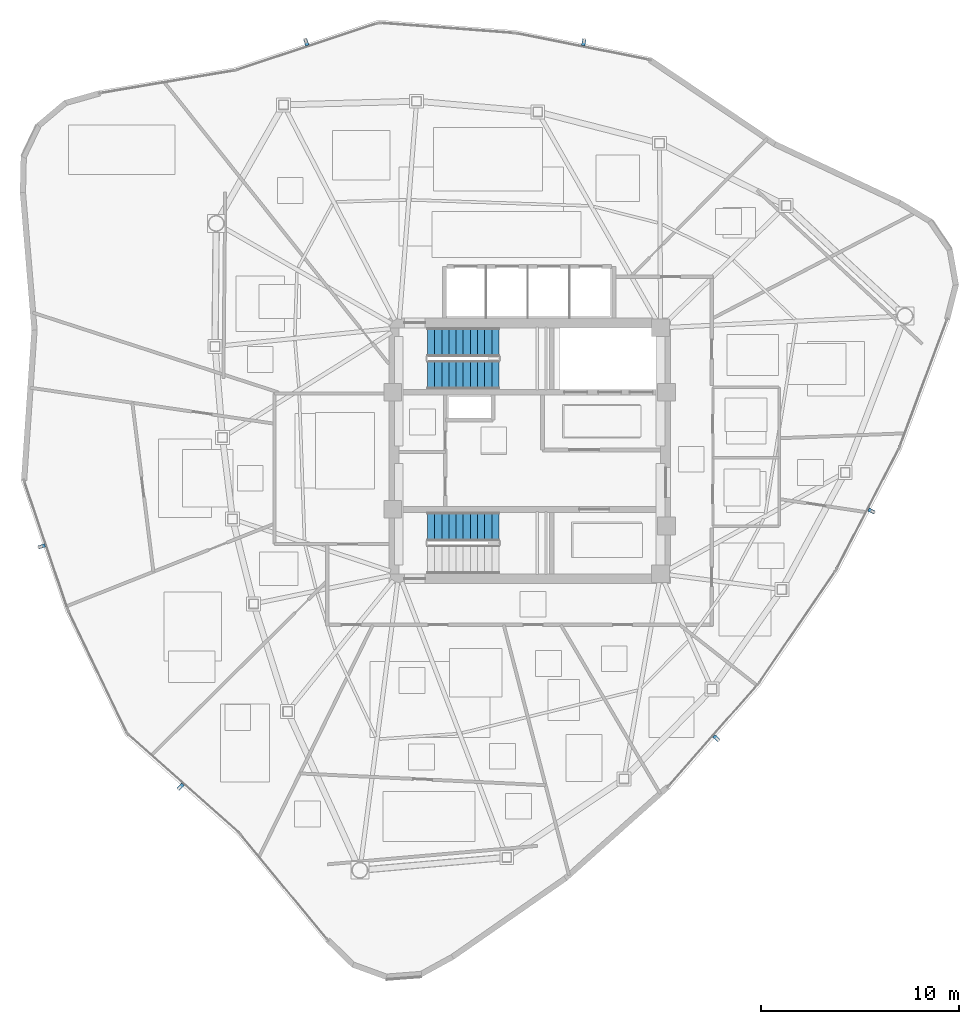
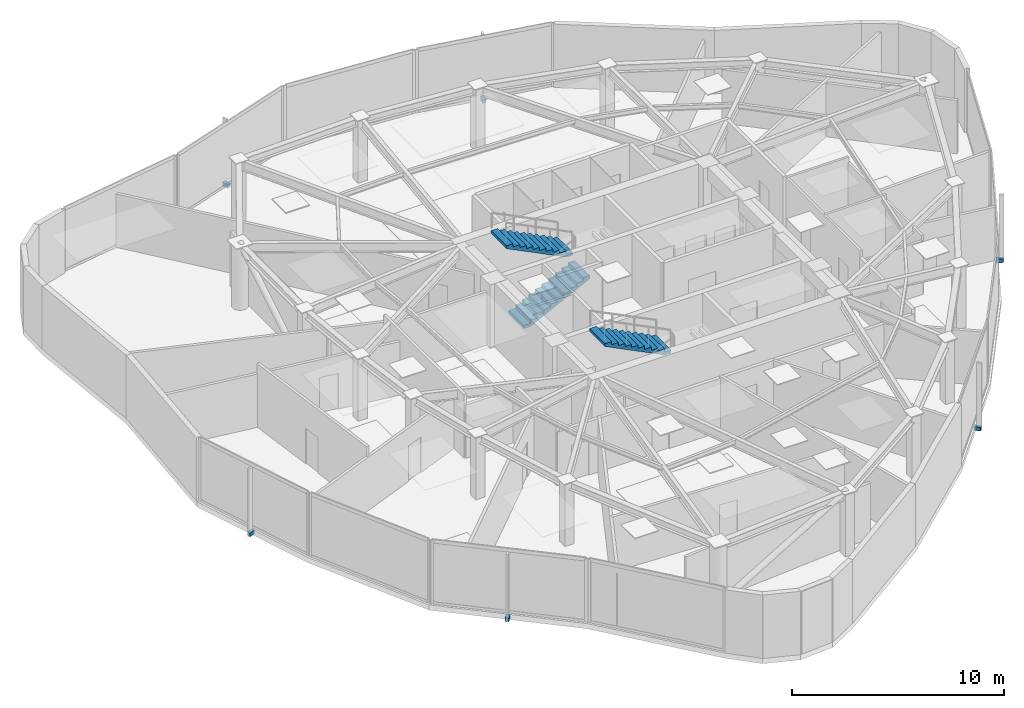
# One storey, part 10 of 13: 6 discrete accessories, 3 stair flights, 2 elements without a shape of their own.
"""IFC4 building model written with IfcOpenShell, lengths in metres."""

from ifc_helpers import new_model, si_unit, direction, frame, origin, origin_2d, place, context, subcontext, project, spatial, polyline, rectangle, outline, extrude, source, transform, mapped, material, type_object, type_shapes, element, aggregate, save


model = new_model("IFC4")

# Units and contexts
model_context = context("Model", 3, precision=1e-05, world=origin(), true_north=direction((0.0, 1.0)))
body_context = subcontext(model_context, "Body", "Model", "MODEL_VIEW")
ifc_project = project(units=[si_unit("LENGTHUNIT", "METRE"), si_unit("AREAUNIT", "SQUARE_METRE"), si_unit("VOLUMEUNIT", "CUBIC_METRE"), si_unit("PLANEANGLEUNIT", "RADIAN"), si_unit("MASSUNIT", "GRAM", prefix="KILO")], contexts=[model_context])

# Site, building, storey
site_placement = place(None, origin())
site = spatial("IfcSite", under=ifc_project, at=site_placement, CompositionType="ELEMENT")
building_placement = place(site_placement, origin())
building = spatial("IfcBuilding", under=site, at=building_placement, Name="Tavelor Broadcast Tower", CompositionType="ELEMENT")
storey_placement = place(building_placement, frame((0.0, 0.0, 261.64990234375)))
storey = spatial("IfcBuildingStorey", under=building, at=storey_placement, Name="L62", CompositionType="ELEMENT", Elevation=261.64990234375)

# Stair, stair flights
ifc_material_1 = material(Name="Concrete C40/50", Category="concrete")
stair_type = type_object("IfcStairType", Name="Reinforced Concrete Protected Dogleg Stair 1450 mm", PredefinedType="HALF_TURN_STAIR", material=ifc_material_1)
stair_1_placement = place(storey_placement, origin())
stair_1 = element("IfcStair", 1, at=stair_1_placement, inside=storey, type_object=stair_type, Name="L62 Protected Core Exit Stair ST1", PredefinedType="HALF_TURN_STAIR")
stair_flight_type = type_object("IfcStairFlightType", Name="Reinforced Concrete Stair Flight 1450 mm", PredefinedType="STRAIGHT", material=ifc_material_1)
stair_flight_1_placement = place(storey_placement, frame((44.85009765625, 48.824951171875, 0.0), z_axis=(0.0, 0.0, 1.0), x_axis=(1.0, 0.0, 0.0)))
stair_flight_1 = element("IfcStairFlight", 2, at=stair_flight_1_placement, type_object=stair_flight_type, Name="ST1 flight 1", NumberOfRisers=11, NumberOfTreads=10, PredefinedType="STRAIGHT", RiserHeight=0.179545455, TreadLength=0.36, context=body_context, shape_type="SweptSolid", body=[
    extrude(outline(polyline([(0.0, 0.0), (0.0, 0.179443359375), (0.360107421875, 0.179443359375), (0.360107421875, 0.359130859375), (0.719970703125, 0.359130859375), (0.719970703125, 0.53857421875), (1.080078125, 0.53857421875), (1.080078125, 0.71826171875), (1.43994140625, 0.71826171875), (1.43994140625, 0.897705078125), (1.800048828125, 0.897705078125), (1.800048828125, 1.077392578125), (2.159912109375, 1.077392578125), (2.159912109375, 1.2568359375), (2.52001953125, 1.2568359375), (2.52001953125, 1.436279296875), (2.8798828125, 1.436279296875), (2.8798828125, 1.615966796875), (3.239990234375, 1.615966796875), (3.239990234375, 1.79541015625), (3.60009765625, 1.79541015625), (3.60009765625, 1.97509765625), (3.60009765625, 1.6279296875), (0.3359375, 0.0), (0.0, 0.0)])), frame((0.0, 0.72509765625, 0.0), z_axis=(0.0, -1.0, 0.0), x_axis=(1.0, 0.0, 0.0)), (0.0, 0.0, 1.0), 1.449951171875),
])
stair_flight_2_placement = place(storey_placement, frame((48.449951171875, 50.47509765625, 1.97509765625), z_axis=(0.0, 0.0, 1.0), x_axis=(-1.0, 0.0, 0.0)))
stair_flight_2 = element("IfcStairFlight", 3, at=stair_flight_2_placement, type_object=stair_flight_type, Name="ST1 flight 2", NumberOfRisers=11, NumberOfTreads=10, PredefinedType="STRAIGHT", RiserHeight=0.179545455, TreadLength=0.36, context=body_context, shape_type="SweptSolid", body=[
    extrude(outline(polyline([(0.0, 0.0), (0.0, 0.179443359375), (0.360107421875, 0.179443359375), (0.360107421875, 0.359130859375), (0.719970703125, 0.359130859375), (0.719970703125, 0.53857421875), (1.080078125, 0.53857421875), (1.080078125, 0.71826171875), (1.43994140625, 0.71826171875), (1.43994140625, 0.897705078125), (1.800048828125, 0.897705078125), (1.800048828125, 1.077392578125), (2.159912109375, 1.077392578125), (2.159912109375, 1.2568359375), (2.52001953125, 1.2568359375), (2.52001953125, 1.436279296875), (2.8798828125, 1.436279296875), (2.8798828125, 1.615966796875), (3.239990234375, 1.615966796875), (3.239990234375, 1.79541015625), (3.60009765625, 1.79541015625), (3.60009765625, 1.97509765625), (3.60009765625, 1.6279296875), (0.3359375, 0.0), (0.0, 0.0)])), frame((0.0, 0.72509765625, 0.0), z_axis=(0.0, -1.0, 0.0), x_axis=(1.0, 0.0, 0.0)), (0.0, 0.0, 1.0), 1.449951171875),
])
aggregate(stair_1, [stair_flight_1, stair_flight_2])

# Stair, stair flight
stair_2_placement = place(storey_placement, origin())
stair_2 = element("IfcStair", 4, at=stair_2_placement, inside=storey, type_object=stair_type, Name="L62 Protected Core Exit Stair ST2", PredefinedType="HALF_TURN_STAIR")
stair_flight_3_placement = place(storey_placement, frame((48.449951171875, 41.175048828125, 1.97509765625), z_axis=(0.0, 0.0, 1.0), x_axis=(-1.0, 0.0, 0.0)))
stair_flight_3 = element("IfcStairFlight", 5, at=stair_flight_3_placement, type_object=stair_flight_type, Name="ST2 flight 2", NumberOfRisers=11, NumberOfTreads=10, PredefinedType="STRAIGHT", RiserHeight=0.179545455, TreadLength=0.36, context=body_context, shape_type="SweptSolid", body=[
    extrude(outline(polyline([(0.0, 0.0), (0.0, 0.179443359375), (0.360107421875, 0.179443359375), (0.360107421875, 0.359130859375), (0.719970703125, 0.359130859375), (0.719970703125, 0.53857421875), (1.080078125, 0.53857421875), (1.080078125, 0.71826171875), (1.43994140625, 0.71826171875), (1.43994140625, 0.897705078125), (1.800048828125, 0.897705078125), (1.800048828125, 1.077392578125), (2.159912109375, 1.077392578125), (2.159912109375, 1.2568359375), (2.52001953125, 1.2568359375), (2.52001953125, 1.436279296875), (2.8798828125, 1.436279296875), (2.8798828125, 1.615966796875), (3.239990234375, 1.615966796875), (3.239990234375, 1.79541015625), (3.60009765625, 1.79541015625), (3.60009765625, 1.97509765625), (3.60009765625, 1.6279296875), (0.3359375, 0.0), (0.0, 0.0)])), frame((0.0, 0.72509765625, 0.0), z_axis=(0.0, -1.0, 0.0), x_axis=(1.0, 0.0, 0.0)), (0.0, 0.0, 1.0), 1.449951171875),
])
aggregate(stair_2, [stair_flight_3])

# Discrete accessories
ifc_material_2 = material(Name="Steel S355", Category="steel")
discrete_accessory_type = type_object("IfcDiscreteAccessoryType", Name="Stainless Baguette Outrigger Support Bracket 260x180", PredefinedType="BRACKET", material=ifc_material_2)
shared_shape = source(origin(), body_context, "Body", "SweptSolid", [
    extrude(rectangle(XDim=0.179931640625, YDim=0.340087890625, at=origin_2d()), origin(), (0.0, 0.0, 1.0), 0.216064453125),
])
type_shapes(discrete_accessory_type, [shared_shape])
for number, where, z_axis, x_axis, name in (
    (6, (25.403564453125, 40.1826171875, -0.2578125), (0.0, 0.0, 1.0), (0.320943609807, -0.947098304995, 0.0), "L62 Baguette Outrigger Bracket 643"),
    (7, (32.398193359375, 28.06494140625, -0.2578125), (0.0, 0.0, 1.0), (0.747334400366, -0.664448112368, 0.0), "L62 Baguette Outrigger Bracket 644"),
    (8, (59.410888671875, 30.51220703125, -0.2578125), (0.0, 0.0, 1.0), (0.659739387103, 0.751494471773, 0.0), "L62 Baguette Outrigger Bracket 645"),
    (9, (67.230224609375, 41.96435546875, -0.2578125), (0.0, 0.0, 1.0), (0.459734862673, 0.888056223469, 0.0), "L62 Baguette Outrigger Bracket 646"),
    (10, (52.726318359375, 65.59228515625, -0.2578125), (0.0, 0.0, 1.0), (-0.98068299691, 0.195603833222, 0.0), "L62 Baguette Outrigger Bracket 647"),
    (11, (38.734619140625, 65.593505859375, -0.2578125), (0.0, 0.0, 1.0), (-0.94909614499, -0.314986519655, 0.0), "L62 Baguette Outrigger Bracket 648"),
):
    element("IfcDiscreteAccessory", number, at=place(storey_placement, frame(where, z_axis=z_axis, x_axis=x_axis)), inside=storey, type_object=discrete_accessory_type, Name=name, PredefinedType="BRACKET", context=body_context, shape_type="MappedRepresentation", body=[
        mapped(shared_shape, transform((0.0, 0.0, 0.0), scale=1.0)),
    ])

save(model, "model.ifc")
